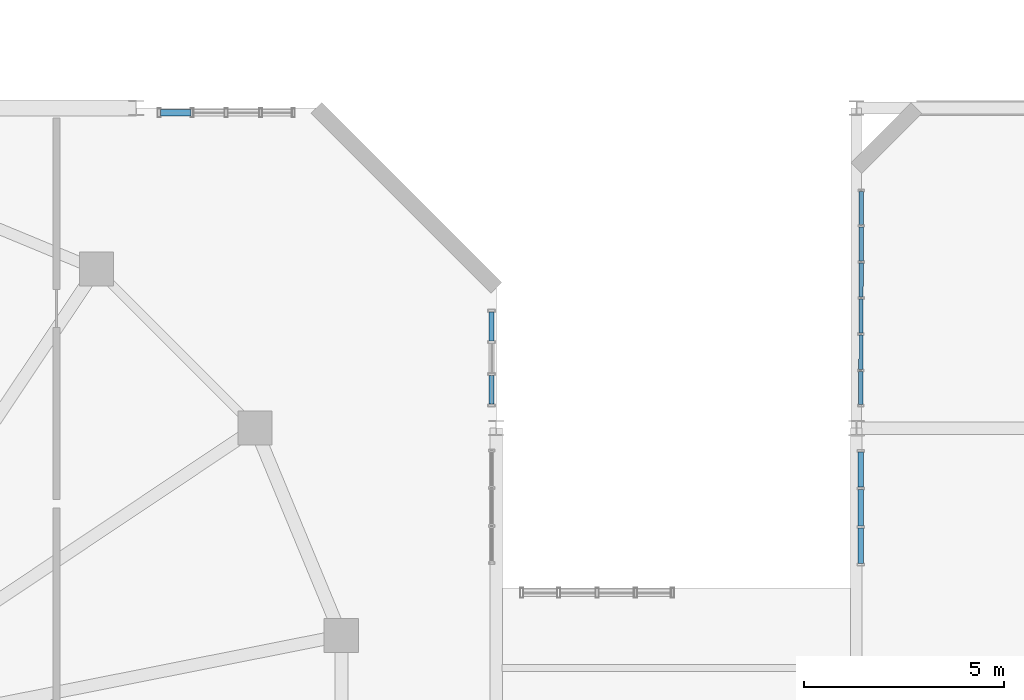
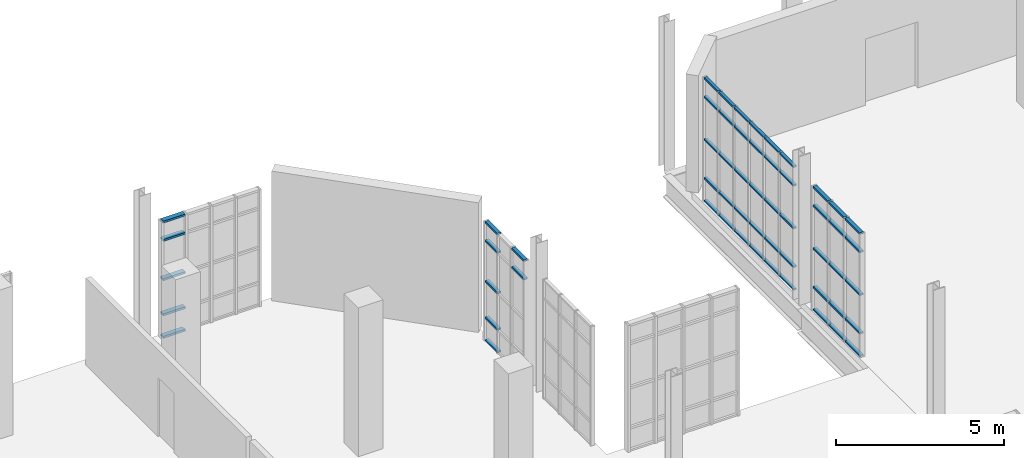
# One storey, part 134 of 189: 57 members, 4 elements without a shape of their own.
"""IFC4 building model written with IfcOpenShell, lengths in metres."""

from ifc_helpers import new_model, si_unit, direction, frame, origin, origin_2d, place, context, subcontext, project, spatial, hollow_rectangle, extrude, material, layer, layer_set, material_profile, profile_set, type_object, element, aggregate, save


model = new_model("IFC4")

# Units and contexts
model_context = context("Model", 3, precision=1e-05, world=origin(), true_north=direction((0.0, 1.0)))
body_context = subcontext(model_context, "Body", "Model", "MODEL_VIEW")
ifc_project = project(units=[si_unit("LENGTHUNIT", "METRE"), si_unit("AREAUNIT", "SQUARE_METRE"), si_unit("VOLUMEUNIT", "CUBIC_METRE"), si_unit("PLANEANGLEUNIT", "RADIAN"), si_unit("MASSUNIT", "GRAM", prefix="KILO"), si_unit("THERMODYNAMICTEMPERATUREUNIT", "KELVIN"), si_unit("POWERUNIT", "WATT")], contexts=[model_context])

# Site, building, storey
site_placement = place(None, origin())
site = spatial("IfcSite", under=ifc_project, at=site_placement, CompositionType="ELEMENT")
building_placement = place(site_placement, origin())
building = spatial("IfcBuilding", under=site, at=building_placement, Name="Zelmaris Science Centre", CompositionType="ELEMENT")
storey_placement = place(building_placement, origin())
storey = spatial("IfcBuildingStorey", under=building, at=storey_placement, Name="L00", CompositionType="ELEMENT", Elevation=0.0)

# Curtain wall, members
ifc_material = material(Name="Anodised architectural aluminium 6063-T6", Category="aluminium")
ifc_layer_1 = layer(ifc_material, 0.219970703125, Name="Anodised architectural aluminium 6063-T6")
ifc_layer_set_1 = layer_set([ifc_layer_1], Name="Anodised architectural aluminium 6063-T6")
curtain_wall_type_1 = type_object("IfcCurtainWallType", Name="Curtain Wall CW-04", PredefinedType="USERDEFINED", material=ifc_layer_set_1)
curtain_wall_1_placement = place(storey_placement, origin())
curtain_wall_1 = element("IfcCurtainWall", 1, at=curtain_wall_1_placement, inside=storey, type_object=curtain_wall_type_1, Name="L00 Unitised curtain wall 28", ObjectType="GLAZED CURTAIN WALL", PredefinedType="USERDEFINED")
ifc_material_profile_1 = material_profile(ifc_material, hollow_rectangle(XDim=0.06005859375, YDim=0.110107421875, WallThickness=0.0029296875, at=origin_2d()), Name="ALU-TRN-60X110")
ifc_profile_set_1 = profile_set([ifc_material_profile_1], Name="Anodised architectural aluminium 6063-T6")
member_type_1 = type_object("IfcMemberType", Name="ALU-TRN-60X110", PredefinedType="USERDEFINED", material=ifc_profile_set_1)
member_1_placement = place(storey_placement, frame((54.1123046875, 80.591796875, 0.010986328125), z_axis=(0.001478850793, 0.9999989065, 0.0), x_axis=(0.0, 0.0, 1.0)))
member_1 = element("IfcMember", 2, at=member_1_placement, type_object=member_type_1, Name="CW-04 transom 1.1", ObjectType="TRANSOM", PredefinedType="USERDEFINED", context=body_context, shape_type="SweptSolid", body=[
    extrude(hollow_rectangle(XDim=0.06005859375, YDim=0.110107421875, WallThickness=0.0029296875, at=origin_2d()), origin(), (0.0, 0.0, 1.0), 0.825439453125),
])
member_2_placement = place(storey_placement, frame((54.1123046875, 80.591796875, 0.8349609375), z_axis=(0.001478850793, 0.9999989065, 0.0), x_axis=(0.0, 0.0, 1.0)))
member_2 = element("IfcMember", 3, at=member_2_placement, type_object=member_type_1, Name="CW-04 transom 1.2", ObjectType="TRANSOM", PredefinedType="USERDEFINED", context=body_context, shape_type="SweptSolid", body=[
    extrude(hollow_rectangle(XDim=0.06005859375, YDim=0.110107421875, WallThickness=0.0029296875, at=origin_2d()), origin(), (0.0, 0.0, 1.0), 0.825439453125),
])
member_3_placement = place(storey_placement, frame((54.1123046875, 80.591796875, 2.235595703125), z_axis=(0.001478850793, 0.9999989065, 0.0), x_axis=(0.0, 0.0, 1.0)))
member_3 = element("IfcMember", 4, at=member_3_placement, type_object=member_type_1, Name="CW-04 transom 1.3", ObjectType="TRANSOM", PredefinedType="USERDEFINED", context=body_context, shape_type="SweptSolid", body=[
    extrude(hollow_rectangle(XDim=0.06005859375, YDim=0.110107421875, WallThickness=0.0029296875, at=origin_2d()), origin(), (0.0, 0.0, 1.0), 0.825439453125),
])
member_4_placement = place(storey_placement, frame((54.1123046875, 80.591796875, 3.785888671875), z_axis=(0.001478850793, 0.9999989065, 0.0), x_axis=(0.0, 0.0, 1.0)))
member_4 = element("IfcMember", 5, at=member_4_placement, type_object=member_type_1, Name="CW-04 transom 1.4", ObjectType="TRANSOM", PredefinedType="USERDEFINED", context=body_context, shape_type="SweptSolid", body=[
    extrude(hollow_rectangle(XDim=0.06005859375, YDim=0.110107421875, WallThickness=0.0029296875, at=origin_2d()), origin(), (0.0, 0.0, 1.0), 0.825439453125),
])
member_5_placement = place(storey_placement, frame((54.1123046875, 80.591796875, 4.4599609375), z_axis=(0.001478850793, 0.9999989065, 0.0), x_axis=(0.0, 0.0, 1.0)))
member_5 = element("IfcMember", 6, at=member_5_placement, type_object=member_type_1, Name="CW-04 transom 1.5", ObjectType="TRANSOM", PredefinedType="USERDEFINED", context=body_context, shape_type="SweptSolid", body=[
    extrude(hollow_rectangle(XDim=0.06005859375, YDim=0.110107421875, WallThickness=0.0029296875, at=origin_2d()), origin(), (0.0, 0.0, 1.0), 0.825439453125),
])
member_6_placement = place(storey_placement, frame((54.113525390625, 81.46923828125, 0.010986328125), z_axis=(0.001433895859, 0.999998971971, 0.0), x_axis=(0.0, 0.0, 1.0)))
member_6 = element("IfcMember", 7, at=member_6_placement, type_object=member_type_1, Name="CW-04 transom 2.1", ObjectType="TRANSOM", PredefinedType="USERDEFINED", context=body_context, shape_type="SweptSolid", body=[
    extrude(hollow_rectangle(XDim=0.06005859375, YDim=0.110107421875, WallThickness=0.0029296875, at=origin_2d()), origin(), (0.0, 0.0, 1.0), 0.851318359375),
])
member_7_placement = place(storey_placement, frame((54.113525390625, 81.46923828125, 0.8349609375), z_axis=(0.001433895859, 0.999998971971, 0.0), x_axis=(0.0, 0.0, 1.0)))
member_7 = element("IfcMember", 8, at=member_7_placement, type_object=member_type_1, Name="CW-04 transom 2.2", ObjectType="TRANSOM", PredefinedType="USERDEFINED", context=body_context, shape_type="SweptSolid", body=[
    extrude(hollow_rectangle(XDim=0.06005859375, YDim=0.110107421875, WallThickness=0.0029296875, at=origin_2d()), origin(), (0.0, 0.0, 1.0), 0.851318359375),
])
member_8_placement = place(storey_placement, frame((54.113525390625, 81.46923828125, 2.235595703125), z_axis=(0.001433895859, 0.999998971971, 0.0), x_axis=(0.0, 0.0, 1.0)))
member_8 = element("IfcMember", 9, at=member_8_placement, type_object=member_type_1, Name="CW-04 transom 2.3", ObjectType="TRANSOM", PredefinedType="USERDEFINED", context=body_context, shape_type="SweptSolid", body=[
    extrude(hollow_rectangle(XDim=0.06005859375, YDim=0.110107421875, WallThickness=0.0029296875, at=origin_2d()), origin(), (0.0, 0.0, 1.0), 0.851318359375),
])
member_9_placement = place(storey_placement, frame((54.113525390625, 81.46923828125, 3.785888671875), z_axis=(0.001433895859, 0.999998971971, 0.0), x_axis=(0.0, 0.0, 1.0)))
member_9 = element("IfcMember", 10, at=member_9_placement, type_object=member_type_1, Name="CW-04 transom 2.4", ObjectType="TRANSOM", PredefinedType="USERDEFINED", context=body_context, shape_type="SweptSolid", body=[
    extrude(hollow_rectangle(XDim=0.06005859375, YDim=0.110107421875, WallThickness=0.0029296875, at=origin_2d()), origin(), (0.0, 0.0, 1.0), 0.851318359375),
])
member_10_placement = place(storey_placement, frame((54.113525390625, 81.46923828125, 4.4599609375), z_axis=(0.001433895859, 0.999998971971, 0.0), x_axis=(0.0, 0.0, 1.0)))
member_10 = element("IfcMember", 11, at=member_10_placement, type_object=member_type_1, Name="CW-04 transom 2.5", ObjectType="TRANSOM", PredefinedType="USERDEFINED", context=body_context, shape_type="SweptSolid", body=[
    extrude(hollow_rectangle(XDim=0.06005859375, YDim=0.110107421875, WallThickness=0.0029296875, at=origin_2d()), origin(), (0.0, 0.0, 1.0), 0.851318359375),
])
member_11_placement = place(storey_placement, frame((54.11474609375, 82.37255859375, 0.010986328125), z_axis=(0.001147117112, 0.999999342061, 0.0), x_axis=(0.0, 0.0, 1.0)))
member_11 = element("IfcMember", 12, at=member_11_placement, type_object=member_type_1, Name="CW-04 transom 3.1", ObjectType="TRANSOM", PredefinedType="USERDEFINED", context=body_context, shape_type="SweptSolid", body=[
    extrude(hollow_rectangle(XDim=0.06005859375, YDim=0.110107421875, WallThickness=0.0029296875, at=origin_2d()), origin(), (0.0, 0.0, 1.0), 0.851318359375),
])
member_12_placement = place(storey_placement, frame((54.11474609375, 82.37255859375, 0.8349609375), z_axis=(0.001147117112, 0.999999342061, 0.0), x_axis=(0.0, 0.0, 1.0)))
member_12 = element("IfcMember", 13, at=member_12_placement, type_object=member_type_1, Name="CW-04 transom 3.2", ObjectType="TRANSOM", PredefinedType="USERDEFINED", context=body_context, shape_type="SweptSolid", body=[
    extrude(hollow_rectangle(XDim=0.06005859375, YDim=0.110107421875, WallThickness=0.0029296875, at=origin_2d()), origin(), (0.0, 0.0, 1.0), 0.851318359375),
])
member_13_placement = place(storey_placement, frame((54.11474609375, 82.37255859375, 2.235595703125), z_axis=(0.001147117112, 0.999999342061, 0.0), x_axis=(0.0, 0.0, 1.0)))
member_13 = element("IfcMember", 14, at=member_13_placement, type_object=member_type_1, Name="CW-04 transom 3.3", ObjectType="TRANSOM", PredefinedType="USERDEFINED", context=body_context, shape_type="SweptSolid", body=[
    extrude(hollow_rectangle(XDim=0.06005859375, YDim=0.110107421875, WallThickness=0.0029296875, at=origin_2d()), origin(), (0.0, 0.0, 1.0), 0.851318359375),
])
member_14_placement = place(storey_placement, frame((54.11474609375, 82.37255859375, 3.785888671875), z_axis=(0.001147117112, 0.999999342061, 0.0), x_axis=(0.0, 0.0, 1.0)))
member_14 = element("IfcMember", 15, at=member_14_placement, type_object=member_type_1, Name="CW-04 transom 3.4", ObjectType="TRANSOM", PredefinedType="USERDEFINED", context=body_context, shape_type="SweptSolid", body=[
    extrude(hollow_rectangle(XDim=0.06005859375, YDim=0.110107421875, WallThickness=0.0029296875, at=origin_2d()), origin(), (0.0, 0.0, 1.0), 0.851318359375),
])
member_15_placement = place(storey_placement, frame((54.11474609375, 82.37255859375, 4.4599609375), z_axis=(0.001147117112, 0.999999342061, 0.0), x_axis=(0.0, 0.0, 1.0)))
member_15 = element("IfcMember", 16, at=member_15_placement, type_object=member_type_1, Name="CW-04 transom 3.5", ObjectType="TRANSOM", PredefinedType="USERDEFINED", context=body_context, shape_type="SweptSolid", body=[
    extrude(hollow_rectangle(XDim=0.06005859375, YDim=0.110107421875, WallThickness=0.0029296875, at=origin_2d()), origin(), (0.0, 0.0, 1.0), 0.851318359375),
])
member_16_placement = place(storey_placement, frame((54.115966796875, 83.27587890625, 0.010986328125), z_axis=(0.001147117112, 0.999999342061, 0.0), x_axis=(0.0, 0.0, 1.0)))
member_16 = element("IfcMember", 17, at=member_16_placement, type_object=member_type_1, Name="CW-04 transom 4.1", ObjectType="TRANSOM", PredefinedType="USERDEFINED", context=body_context, shape_type="SweptSolid", body=[
    extrude(hollow_rectangle(XDim=0.06005859375, YDim=0.110107421875, WallThickness=0.0029296875, at=origin_2d()), origin(), (0.0, 0.0, 1.0), 0.851318359375),
])
member_17_placement = place(storey_placement, frame((54.115966796875, 83.27587890625, 0.8349609375), z_axis=(0.001147117112, 0.999999342061, 0.0), x_axis=(0.0, 0.0, 1.0)))
member_17 = element("IfcMember", 18, at=member_17_placement, type_object=member_type_1, Name="CW-04 transom 4.2", ObjectType="TRANSOM", PredefinedType="USERDEFINED", context=body_context, shape_type="SweptSolid", body=[
    extrude(hollow_rectangle(XDim=0.06005859375, YDim=0.110107421875, WallThickness=0.0029296875, at=origin_2d()), origin(), (0.0, 0.0, 1.0), 0.851318359375),
])
member_18_placement = place(storey_placement, frame((54.115966796875, 83.27587890625, 2.235595703125), z_axis=(0.001147117112, 0.999999342061, 0.0), x_axis=(0.0, 0.0, 1.0)))
member_18 = element("IfcMember", 19, at=member_18_placement, type_object=member_type_1, Name="CW-04 transom 4.3", ObjectType="TRANSOM", PredefinedType="USERDEFINED", context=body_context, shape_type="SweptSolid", body=[
    extrude(hollow_rectangle(XDim=0.06005859375, YDim=0.110107421875, WallThickness=0.0029296875, at=origin_2d()), origin(), (0.0, 0.0, 1.0), 0.851318359375),
])
member_19_placement = place(storey_placement, frame((54.115966796875, 83.27587890625, 3.785888671875), z_axis=(0.001147117112, 0.999999342061, 0.0), x_axis=(0.0, 0.0, 1.0)))
member_19 = element("IfcMember", 20, at=member_19_placement, type_object=member_type_1, Name="CW-04 transom 4.4", ObjectType="TRANSOM", PredefinedType="USERDEFINED", context=body_context, shape_type="SweptSolid", body=[
    extrude(hollow_rectangle(XDim=0.06005859375, YDim=0.110107421875, WallThickness=0.0029296875, at=origin_2d()), origin(), (0.0, 0.0, 1.0), 0.851318359375),
])
member_20_placement = place(storey_placement, frame((54.115966796875, 83.27587890625, 4.4599609375), z_axis=(0.001147117112, 0.999999342061, 0.0), x_axis=(0.0, 0.0, 1.0)))
member_20 = element("IfcMember", 21, at=member_20_placement, type_object=member_type_1, Name="CW-04 transom 4.5", ObjectType="TRANSOM", PredefinedType="USERDEFINED", context=body_context, shape_type="SweptSolid", body=[
    extrude(hollow_rectangle(XDim=0.06005859375, YDim=0.110107421875, WallThickness=0.0029296875, at=origin_2d()), origin(), (0.0, 0.0, 1.0), 0.851318359375),
])
member_21_placement = place(storey_placement, frame((54.1171875, 84.17919921875, 0.010986328125), z_axis=(0.001147117112, 0.999999342061, 0.0), x_axis=(0.0, 0.0, 1.0)))
member_21 = element("IfcMember", 22, at=member_21_placement, type_object=member_type_1, Name="CW-04 transom 5.1", ObjectType="TRANSOM", PredefinedType="USERDEFINED", context=body_context, shape_type="SweptSolid", body=[
    extrude(hollow_rectangle(XDim=0.06005859375, YDim=0.110107421875, WallThickness=0.0029296875, at=origin_2d()), origin(), (0.0, 0.0, 1.0), 0.851318359375),
])
member_22_placement = place(storey_placement, frame((54.1171875, 84.17919921875, 0.8349609375), z_axis=(0.001147117112, 0.999999342061, 0.0), x_axis=(0.0, 0.0, 1.0)))
member_22 = element("IfcMember", 23, at=member_22_placement, type_object=member_type_1, Name="CW-04 transom 5.2", ObjectType="TRANSOM", PredefinedType="USERDEFINED", context=body_context, shape_type="SweptSolid", body=[
    extrude(hollow_rectangle(XDim=0.06005859375, YDim=0.110107421875, WallThickness=0.0029296875, at=origin_2d()), origin(), (0.0, 0.0, 1.0), 0.851318359375),
])
member_23_placement = place(storey_placement, frame((54.1171875, 84.17919921875, 2.235595703125), z_axis=(0.001147117112, 0.999999342061, 0.0), x_axis=(0.0, 0.0, 1.0)))
member_23 = element("IfcMember", 24, at=member_23_placement, type_object=member_type_1, Name="CW-04 transom 5.3", ObjectType="TRANSOM", PredefinedType="USERDEFINED", context=body_context, shape_type="SweptSolid", body=[
    extrude(hollow_rectangle(XDim=0.06005859375, YDim=0.110107421875, WallThickness=0.0029296875, at=origin_2d()), origin(), (0.0, 0.0, 1.0), 0.851318359375),
])
member_24_placement = place(storey_placement, frame((54.1171875, 84.17919921875, 3.785888671875), z_axis=(0.001147117112, 0.999999342061, 0.0), x_axis=(0.0, 0.0, 1.0)))
member_24 = element("IfcMember", 25, at=member_24_placement, type_object=member_type_1, Name="CW-04 transom 5.4", ObjectType="TRANSOM", PredefinedType="USERDEFINED", context=body_context, shape_type="SweptSolid", body=[
    extrude(hollow_rectangle(XDim=0.06005859375, YDim=0.110107421875, WallThickness=0.0029296875, at=origin_2d()), origin(), (0.0, 0.0, 1.0), 0.851318359375),
])
member_25_placement = place(storey_placement, frame((54.1171875, 84.17919921875, 4.4599609375), z_axis=(0.001147117112, 0.999999342061, 0.0), x_axis=(0.0, 0.0, 1.0)))
member_25 = element("IfcMember", 26, at=member_25_placement, type_object=member_type_1, Name="CW-04 transom 5.5", ObjectType="TRANSOM", PredefinedType="USERDEFINED", context=body_context, shape_type="SweptSolid", body=[
    extrude(hollow_rectangle(XDim=0.06005859375, YDim=0.110107421875, WallThickness=0.0029296875, at=origin_2d()), origin(), (0.0, 0.0, 1.0), 0.851318359375),
])
member_26_placement = place(storey_placement, frame((54.1181640625, 85.08251953125, 0.010986328125), z_axis=(0.001479288322, 0.999998905852, 0.0), x_axis=(0.0, 0.0, 1.0)))
member_26 = element("IfcMember", 27, at=member_26_placement, type_object=member_type_1, Name="CW-04 transom 6.1", ObjectType="TRANSOM", PredefinedType="USERDEFINED", context=body_context, shape_type="SweptSolid", body=[
    extrude(hollow_rectangle(XDim=0.06005859375, YDim=0.110107421875, WallThickness=0.0029296875, at=origin_2d()), origin(), (0.0, 0.0, 1.0), 0.8251953125),
])
member_27_placement = place(storey_placement, frame((54.1181640625, 85.08251953125, 0.8349609375), z_axis=(0.001479288322, 0.999998905852, 0.0), x_axis=(0.0, 0.0, 1.0)))
member_27 = element("IfcMember", 28, at=member_27_placement, type_object=member_type_1, Name="CW-04 transom 6.2", ObjectType="TRANSOM", PredefinedType="USERDEFINED", context=body_context, shape_type="SweptSolid", body=[
    extrude(hollow_rectangle(XDim=0.06005859375, YDim=0.110107421875, WallThickness=0.0029296875, at=origin_2d()), origin(), (0.0, 0.0, 1.0), 0.8251953125),
])
member_28_placement = place(storey_placement, frame((54.1181640625, 85.08251953125, 2.235595703125), z_axis=(0.001479288322, 0.999998905852, 0.0), x_axis=(0.0, 0.0, 1.0)))
member_28 = element("IfcMember", 29, at=member_28_placement, type_object=member_type_1, Name="CW-04 transom 6.3", ObjectType="TRANSOM", PredefinedType="USERDEFINED", context=body_context, shape_type="SweptSolid", body=[
    extrude(hollow_rectangle(XDim=0.06005859375, YDim=0.110107421875, WallThickness=0.0029296875, at=origin_2d()), origin(), (0.0, 0.0, 1.0), 0.8251953125),
])
member_29_placement = place(storey_placement, frame((54.1181640625, 85.08251953125, 3.785888671875), z_axis=(0.001479288322, 0.999998905852, 0.0), x_axis=(0.0, 0.0, 1.0)))
member_29 = element("IfcMember", 30, at=member_29_placement, type_object=member_type_1, Name="CW-04 transom 6.4", ObjectType="TRANSOM", PredefinedType="USERDEFINED", context=body_context, shape_type="SweptSolid", body=[
    extrude(hollow_rectangle(XDim=0.06005859375, YDim=0.110107421875, WallThickness=0.0029296875, at=origin_2d()), origin(), (0.0, 0.0, 1.0), 0.8251953125),
])
member_30_placement = place(storey_placement, frame((54.1181640625, 85.08251953125, 4.4599609375), z_axis=(0.001479288322, 0.999998905852, 0.0), x_axis=(0.0, 0.0, 1.0)))
member_30 = element("IfcMember", 31, at=member_30_placement, type_object=member_type_1, Name="CW-04 transom 6.5", ObjectType="TRANSOM", PredefinedType="USERDEFINED", context=body_context, shape_type="SweptSolid", body=[
    extrude(hollow_rectangle(XDim=0.06005859375, YDim=0.110107421875, WallThickness=0.0029296875, at=origin_2d()), origin(), (0.0, 0.0, 1.0), 0.8251953125),
])
aggregate(curtain_wall_1, [member_1, member_2, member_3, member_4, member_5, member_6, member_7, member_8, member_9, member_10, member_11, member_12, member_13, member_14, member_15, member_16, member_17, member_18, member_19, member_20, member_21, member_22, member_23, member_24, member_25, member_26, member_27, member_28, member_29, member_30])

ifc_layer_2 = layer(ifc_material, 0.2099609375, Name="Anodised architectural aluminium 6063-T6")
ifc_layer_set_2 = layer_set([ifc_layer_2], Name="Anodised architectural aluminium 6063-T6")
curtain_wall_type_2 = type_object("IfcCurtainWallType", Name="Curtain Wall CW-03", PredefinedType="USERDEFINED", material=ifc_layer_set_2)
curtain_wall_2_placement = place(storey_placement, origin())
curtain_wall_2 = element("IfcCurtainWall", 32, at=curtain_wall_2_placement, inside=storey, type_object=curtain_wall_type_2, Name="L00 Unitised curtain wall 23", ObjectType="GLAZED CURTAIN WALL", PredefinedType="USERDEFINED")
ifc_material_profile_2 = material_profile(ifc_material, hollow_rectangle(XDim=0.06494140625, YDim=0.1298828125, WallThickness=0.00341796875, at=origin_2d()), Name="ALU-TRN-65X130")
ifc_profile_set_2 = profile_set([ifc_material_profile_2], Name="Anodised architectural aluminium 6063-T6")
member_type_2 = type_object("IfcMemberType", Name="ALU-TRN-65X130", PredefinedType="USERDEFINED", material=ifc_profile_set_2)
member_31_placement = place(storey_placement, frame((44.8798828125, 82.903076171875, 0.013427734375), z_axis=(0.0, -1.0, 0.0), x_axis=(0.0, 0.0, 1.0)))
member_31 = element("IfcMember", 33, at=member_31_placement, type_object=member_type_2, Name="CW-03 transom 1.1", ObjectType="TRANSOM", PredefinedType="USERDEFINED", context=body_context, shape_type="SweptSolid", body=[
    extrude(hollow_rectangle(XDim=0.06494140625, YDim=0.1298828125, WallThickness=0.00341796875, at=origin_2d()), origin(), (0.0, 0.0, 1.0), 0.72119140625),
])
member_32_placement = place(storey_placement, frame((44.8798828125, 82.903076171875, 0.8349609375), z_axis=(0.0, -1.0, 0.0), x_axis=(0.0, 0.0, 1.0)))
member_32 = element("IfcMember", 34, at=member_32_placement, type_object=member_type_2, Name="CW-03 transom 1.2", ObjectType="TRANSOM", PredefinedType="USERDEFINED", context=body_context, shape_type="SweptSolid", body=[
    extrude(hollow_rectangle(XDim=0.06494140625, YDim=0.1298828125, WallThickness=0.00341796875, at=origin_2d()), origin(), (0.0, 0.0, 1.0), 0.72119140625),
])
member_33_placement = place(storey_placement, frame((44.8798828125, 82.903076171875, 2.154052734375), z_axis=(0.0, -1.0, 0.0), x_axis=(0.0, 0.0, 1.0)))
member_33 = element("IfcMember", 35, at=member_33_placement, type_object=member_type_2, Name="CW-03 transom 1.3", ObjectType="TRANSOM", PredefinedType="USERDEFINED", context=body_context, shape_type="SweptSolid", body=[
    extrude(hollow_rectangle(XDim=0.06494140625, YDim=0.1298828125, WallThickness=0.00341796875, at=origin_2d()), origin(), (0.0, 0.0, 1.0), 0.72119140625),
])
member_34_placement = place(storey_placement, frame((44.8798828125, 82.903076171875, 3.623046875), z_axis=(0.0, -1.0, 0.0), x_axis=(0.0, 0.0, 1.0)))
member_34 = element("IfcMember", 36, at=member_34_placement, type_object=member_type_2, Name="CW-03 transom 1.4", ObjectType="TRANSOM", PredefinedType="USERDEFINED", context=body_context, shape_type="SweptSolid", body=[
    extrude(hollow_rectangle(XDim=0.06494140625, YDim=0.1298828125, WallThickness=0.00341796875, at=origin_2d()), origin(), (0.0, 0.0, 1.0), 0.72119140625),
])
member_35_placement = place(storey_placement, frame((44.8798828125, 82.903076171875, 4.29443359375), z_axis=(0.0, -1.0, 0.0), x_axis=(0.0, 0.0, 1.0)))
member_35 = element("IfcMember", 37, at=member_35_placement, type_object=member_type_2, Name="CW-03 transom 1.5", ObjectType="TRANSOM", PredefinedType="USERDEFINED", context=body_context, shape_type="SweptSolid", body=[
    extrude(hollow_rectangle(XDim=0.06494140625, YDim=0.1298828125, WallThickness=0.00341796875, at=origin_2d()), origin(), (0.0, 0.0, 1.0), 0.72119140625),
])
member_36_placement = place(storey_placement, frame((44.8798828125, 81.318115234375, 3.623046875), z_axis=(0.0, -1.0, 0.0), x_axis=(0.0, 0.0, 1.0)))
member_36 = element("IfcMember", 38, at=member_36_placement, type_object=member_type_2, Name="CW-03 transom 3.4", ObjectType="TRANSOM", PredefinedType="USERDEFINED", context=body_context, shape_type="SweptSolid", body=[
    extrude(hollow_rectangle(XDim=0.06494140625, YDim=0.1298828125, WallThickness=0.00341796875, at=origin_2d()), origin(), (0.0, 0.0, 1.0), 0.72119140625),
])
member_37_placement = place(storey_placement, frame((44.8798828125, 81.318115234375, 4.29443359375), z_axis=(0.0, -1.0, 0.0), x_axis=(0.0, 0.0, 1.0)))
member_37 = element("IfcMember", 39, at=member_37_placement, type_object=member_type_2, Name="CW-03 transom 3.5", ObjectType="TRANSOM", PredefinedType="USERDEFINED", context=body_context, shape_type="SweptSolid", body=[
    extrude(hollow_rectangle(XDim=0.06494140625, YDim=0.1298828125, WallThickness=0.00341796875, at=origin_2d()), origin(), (0.0, 0.0, 1.0), 0.72119140625),
])
aggregate(curtain_wall_2, [member_31, member_32, member_33, member_34, member_35, member_36, member_37])

curtain_wall_3_placement = place(storey_placement, origin())
curtain_wall_3 = element("IfcCurtainWall", 40, at=curtain_wall_3_placement, inside=storey, type_object=curtain_wall_type_2, Name="L00 Unitised curtain wall 27", ObjectType="GLAZED CURTAIN WALL", PredefinedType="USERDEFINED")
member_38_placement = place(storey_placement, frame((54.107177734375, 76.61865234375, 0.013427734375), z_axis=(0.001386192181, 0.999999039235, 0.0), x_axis=(0.0, 0.0, 1.0)))
member_38 = element("IfcMember", 41, at=member_38_placement, type_object=member_type_2, Name="CW-03 transom 1.1", ObjectType="TRANSOM", PredefinedType="USERDEFINED", context=body_context, shape_type="SweptSolid", body=[
    extrude(hollow_rectangle(XDim=0.06494140625, YDim=0.1298828125, WallThickness=0.00341796875, at=origin_2d()), origin(), (0.0, 0.0, 1.0), 0.880615234375),
])
member_39_placement = place(storey_placement, frame((54.107177734375, 76.61865234375, 0.8349609375), z_axis=(0.001386192181, 0.999999039235, 0.0), x_axis=(0.0, 0.0, 1.0)))
member_39 = element("IfcMember", 42, at=member_39_placement, type_object=member_type_2, Name="CW-03 transom 1.2", ObjectType="TRANSOM", PredefinedType="USERDEFINED", context=body_context, shape_type="SweptSolid", body=[
    extrude(hollow_rectangle(XDim=0.06494140625, YDim=0.1298828125, WallThickness=0.00341796875, at=origin_2d()), origin(), (0.0, 0.0, 1.0), 0.880615234375),
])
member_40_placement = place(storey_placement, frame((54.107177734375, 76.61865234375, 2.235595703125), z_axis=(0.001386192181, 0.999999039235, 0.0), x_axis=(0.0, 0.0, 1.0)))
member_40 = element("IfcMember", 43, at=member_40_placement, type_object=member_type_2, Name="CW-03 transom 1.3", ObjectType="TRANSOM", PredefinedType="USERDEFINED", context=body_context, shape_type="SweptSolid", body=[
    extrude(hollow_rectangle(XDim=0.06494140625, YDim=0.1298828125, WallThickness=0.00341796875, at=origin_2d()), origin(), (0.0, 0.0, 1.0), 0.880615234375),
])
member_41_placement = place(storey_placement, frame((54.107177734375, 76.61865234375, 3.785888671875), z_axis=(0.001386192181, 0.999999039235, 0.0), x_axis=(0.0, 0.0, 1.0)))
member_41 = element("IfcMember", 44, at=member_41_placement, type_object=member_type_2, Name="CW-03 transom 1.4", ObjectType="TRANSOM", PredefinedType="USERDEFINED", context=body_context, shape_type="SweptSolid", body=[
    extrude(hollow_rectangle(XDim=0.06494140625, YDim=0.1298828125, WallThickness=0.00341796875, at=origin_2d()), origin(), (0.0, 0.0, 1.0), 0.880615234375),
])
member_42_placement = place(storey_placement, frame((54.107177734375, 76.61865234375, 4.45751953125), z_axis=(0.001386192181, 0.999999039235, 0.0), x_axis=(0.0, 0.0, 1.0)))
member_42 = element("IfcMember", 45, at=member_42_placement, type_object=member_type_2, Name="CW-03 transom 1.5", ObjectType="TRANSOM", PredefinedType="USERDEFINED", context=body_context, shape_type="SweptSolid", body=[
    extrude(hollow_rectangle(XDim=0.06494140625, YDim=0.1298828125, WallThickness=0.00341796875, at=origin_2d()), origin(), (0.0, 0.0, 1.0), 0.880615234375),
])
member_43_placement = place(storey_placement, frame((54.1083984375, 77.55615234375, 0.013427734375), z_axis=(0.00134264111, 0.999999098657, 0.0), x_axis=(0.0, 0.0, 1.0)))
member_43 = element("IfcMember", 46, at=member_43_placement, type_object=member_type_2, Name="CW-03 transom 2.1", ObjectType="TRANSOM", PredefinedType="USERDEFINED", context=body_context, shape_type="SweptSolid", body=[
    extrude(hollow_rectangle(XDim=0.06494140625, YDim=0.1298828125, WallThickness=0.00341796875, at=origin_2d()), origin(), (0.0, 0.0, 1.0), 0.9091796875),
])
member_44_placement = place(storey_placement, frame((54.1083984375, 77.55615234375, 0.8349609375), z_axis=(0.00134264111, 0.999999098657, 0.0), x_axis=(0.0, 0.0, 1.0)))
member_44 = element("IfcMember", 47, at=member_44_placement, type_object=member_type_2, Name="CW-03 transom 2.2", ObjectType="TRANSOM", PredefinedType="USERDEFINED", context=body_context, shape_type="SweptSolid", body=[
    extrude(hollow_rectangle(XDim=0.06494140625, YDim=0.1298828125, WallThickness=0.00341796875, at=origin_2d()), origin(), (0.0, 0.0, 1.0), 0.9091796875),
])
member_45_placement = place(storey_placement, frame((54.1083984375, 77.55615234375, 2.235595703125), z_axis=(0.00134264111, 0.999999098657, 0.0), x_axis=(0.0, 0.0, 1.0)))
member_45 = element("IfcMember", 48, at=member_45_placement, type_object=member_type_2, Name="CW-03 transom 2.3", ObjectType="TRANSOM", PredefinedType="USERDEFINED", context=body_context, shape_type="SweptSolid", body=[
    extrude(hollow_rectangle(XDim=0.06494140625, YDim=0.1298828125, WallThickness=0.00341796875, at=origin_2d()), origin(), (0.0, 0.0, 1.0), 0.9091796875),
])
member_46_placement = place(storey_placement, frame((54.1083984375, 77.55615234375, 3.785888671875), z_axis=(0.00134264111, 0.999999098657, 0.0), x_axis=(0.0, 0.0, 1.0)))
member_46 = element("IfcMember", 49, at=member_46_placement, type_object=member_type_2, Name="CW-03 transom 2.4", ObjectType="TRANSOM", PredefinedType="USERDEFINED", context=body_context, shape_type="SweptSolid", body=[
    extrude(hollow_rectangle(XDim=0.06494140625, YDim=0.1298828125, WallThickness=0.00341796875, at=origin_2d()), origin(), (0.0, 0.0, 1.0), 0.9091796875),
])
member_47_placement = place(storey_placement, frame((54.1083984375, 77.55615234375, 4.45751953125), z_axis=(0.00134264111, 0.999999098657, 0.0), x_axis=(0.0, 0.0, 1.0)))
member_47 = element("IfcMember", 50, at=member_47_placement, type_object=member_type_2, Name="CW-03 transom 2.5", ObjectType="TRANSOM", PredefinedType="USERDEFINED", context=body_context, shape_type="SweptSolid", body=[
    extrude(hollow_rectangle(XDim=0.06494140625, YDim=0.1298828125, WallThickness=0.00341796875, at=origin_2d()), origin(), (0.0, 0.0, 1.0), 0.9091796875),
])
member_48_placement = place(storey_placement, frame((54.109619140625, 78.522216796875, 0.013427734375), z_axis=(0.001386192181, 0.999999039235, 0.0), x_axis=(0.0, 0.0, 1.0)))
member_48 = element("IfcMember", 51, at=member_48_placement, type_object=member_type_2, Name="CW-03 transom 3.1", ObjectType="TRANSOM", PredefinedType="USERDEFINED", context=body_context, shape_type="SweptSolid", body=[
    extrude(hollow_rectangle(XDim=0.06494140625, YDim=0.1298828125, WallThickness=0.00341796875, at=origin_2d()), origin(), (0.0, 0.0, 1.0), 0.880615234375),
])
member_49_placement = place(storey_placement, frame((54.109619140625, 78.522216796875, 0.8349609375), z_axis=(0.001386192181, 0.999999039235, 0.0), x_axis=(0.0, 0.0, 1.0)))
member_49 = element("IfcMember", 52, at=member_49_placement, type_object=member_type_2, Name="CW-03 transom 3.2", ObjectType="TRANSOM", PredefinedType="USERDEFINED", context=body_context, shape_type="SweptSolid", body=[
    extrude(hollow_rectangle(XDim=0.06494140625, YDim=0.1298828125, WallThickness=0.00341796875, at=origin_2d()), origin(), (0.0, 0.0, 1.0), 0.880615234375),
])
member_50_placement = place(storey_placement, frame((54.109619140625, 78.522216796875, 2.235595703125), z_axis=(0.001386192181, 0.999999039235, 0.0), x_axis=(0.0, 0.0, 1.0)))
member_50 = element("IfcMember", 53, at=member_50_placement, type_object=member_type_2, Name="CW-03 transom 3.3", ObjectType="TRANSOM", PredefinedType="USERDEFINED", context=body_context, shape_type="SweptSolid", body=[
    extrude(hollow_rectangle(XDim=0.06494140625, YDim=0.1298828125, WallThickness=0.00341796875, at=origin_2d()), origin(), (0.0, 0.0, 1.0), 0.880615234375),
])
member_51_placement = place(storey_placement, frame((54.109619140625, 78.522216796875, 3.785888671875), z_axis=(0.001386192181, 0.999999039235, 0.0), x_axis=(0.0, 0.0, 1.0)))
member_51 = element("IfcMember", 54, at=member_51_placement, type_object=member_type_2, Name="CW-03 transom 3.4", ObjectType="TRANSOM", PredefinedType="USERDEFINED", context=body_context, shape_type="SweptSolid", body=[
    extrude(hollow_rectangle(XDim=0.06494140625, YDim=0.1298828125, WallThickness=0.00341796875, at=origin_2d()), origin(), (0.0, 0.0, 1.0), 0.880615234375),
])
member_52_placement = place(storey_placement, frame((54.109619140625, 78.522216796875, 4.45751953125), z_axis=(0.001386192181, 0.999999039235, 0.0), x_axis=(0.0, 0.0, 1.0)))
member_52 = element("IfcMember", 55, at=member_52_placement, type_object=member_type_2, Name="CW-03 transom 3.5", ObjectType="TRANSOM", PredefinedType="USERDEFINED", context=body_context, shape_type="SweptSolid", body=[
    extrude(hollow_rectangle(XDim=0.06494140625, YDim=0.1298828125, WallThickness=0.00341796875, at=origin_2d()), origin(), (0.0, 0.0, 1.0), 0.880615234375),
])
aggregate(curtain_wall_3, [member_38, member_39, member_40, member_41, member_42, member_43, member_44, member_45, member_46, member_47, member_48, member_49, member_50, member_51, member_52])

ifc_layer_3 = layer(ifc_material, 0.199951171875, Name="Anodised architectural aluminium 6063-T6")
ifc_layer_set_3 = layer_set([ifc_layer_3], Name="Anodised architectural aluminium 6063-T6")
curtain_wall_type_3 = type_object("IfcCurtainWallType", Name="Curtain Wall CW-02", PredefinedType="USERDEFINED", material=ifc_layer_set_3)
curtain_wall_4_placement = place(storey_placement, origin())
curtain_wall_4 = element("IfcCurtainWall", 56, at=curtain_wall_4_placement, inside=storey, type_object=curtain_wall_type_3, Name="L00 Unitised curtain wall 22", ObjectType="GLAZED CURTAIN WALL", PredefinedType="USERDEFINED")
ifc_material_profile_3 = material_profile(ifc_material, hollow_rectangle(XDim=0.074951171875, YDim=0.159912109375, WallThickness=0.00390625, at=origin_2d()), Name="ALU-TRN-75X160")
ifc_profile_set_3 = profile_set([ifc_material_profile_3], Name="Anodised architectural aluminium 6063-T6")
member_type_3 = type_object("IfcMemberType", Name="ALU-TRN-75X160", PredefinedType="USERDEFINED", material=ifc_profile_set_3)
member_53_placement = place(storey_placement, frame((36.60693359375, 87.8798828125, 0.0185546875), z_axis=(1.0, 0.0, 0.0), x_axis=(0.0, 0.0, 1.0)))
member_53 = element("IfcMember", 57, at=member_53_placement, type_object=member_type_3, Name="CW-02 transom 1.1", ObjectType="TRANSOM", PredefinedType="USERDEFINED", context=body_context, shape_type="SweptSolid", body=[
    extrude(hollow_rectangle(XDim=0.074951171875, YDim=0.159912109375, WallThickness=0.00390625, at=origin_2d()), origin(), (0.0, 0.0, 1.0), 0.754638671875),
])
member_54_placement = place(storey_placement, frame((36.60693359375, 87.8798828125, 0.8349609375), z_axis=(1.0, 0.0, 0.0), x_axis=(0.0, 0.0, 1.0)))
member_54 = element("IfcMember", 58, at=member_54_placement, type_object=member_type_3, Name="CW-02 transom 1.2", ObjectType="TRANSOM", PredefinedType="USERDEFINED", context=body_context, shape_type="SweptSolid", body=[
    extrude(hollow_rectangle(XDim=0.074951171875, YDim=0.159912109375, WallThickness=0.00390625, at=origin_2d()), origin(), (0.0, 0.0, 1.0), 0.754638671875),
])
member_55_placement = place(storey_placement, frame((36.60693359375, 87.8798828125, 2.109619140625), z_axis=(1.0, 0.0, 0.0), x_axis=(0.0, 0.0, 1.0)))
member_55 = element("IfcMember", 59, at=member_55_placement, type_object=member_type_3, Name="CW-02 transom 1.3", ObjectType="TRANSOM", PredefinedType="USERDEFINED", context=body_context, shape_type="SweptSolid", body=[
    extrude(hollow_rectangle(XDim=0.074951171875, YDim=0.159912109375, WallThickness=0.00390625, at=origin_2d()), origin(), (0.0, 0.0, 1.0), 0.754638671875),
])
member_56_placement = place(storey_placement, frame((36.60693359375, 87.8798828125, 3.533935546875), z_axis=(1.0, 0.0, 0.0), x_axis=(0.0, 0.0, 1.0)))
member_56 = element("IfcMember", 60, at=member_56_placement, type_object=member_type_3, Name="CW-02 transom 1.4", ObjectType="TRANSOM", PredefinedType="USERDEFINED", context=body_context, shape_type="SweptSolid", body=[
    extrude(hollow_rectangle(XDim=0.074951171875, YDim=0.159912109375, WallThickness=0.00390625, at=origin_2d()), origin(), (0.0, 0.0, 1.0), 0.754638671875),
])
member_57_placement = place(storey_placement, frame((36.60693359375, 87.8798828125, 4.200439453125), z_axis=(1.0, 0.0, 0.0), x_axis=(0.0, 0.0, 1.0)))
member_57 = element("IfcMember", 61, at=member_57_placement, type_object=member_type_3, Name="CW-02 transom 1.5", ObjectType="TRANSOM", PredefinedType="USERDEFINED", context=body_context, shape_type="SweptSolid", body=[
    extrude(hollow_rectangle(XDim=0.074951171875, YDim=0.159912109375, WallThickness=0.00390625, at=origin_2d()), origin(), (0.0, 0.0, 1.0), 0.754638671875),
])
aggregate(curtain_wall_4, [member_53, member_54, member_55, member_56, member_57])

save(model, "model.ifc")
